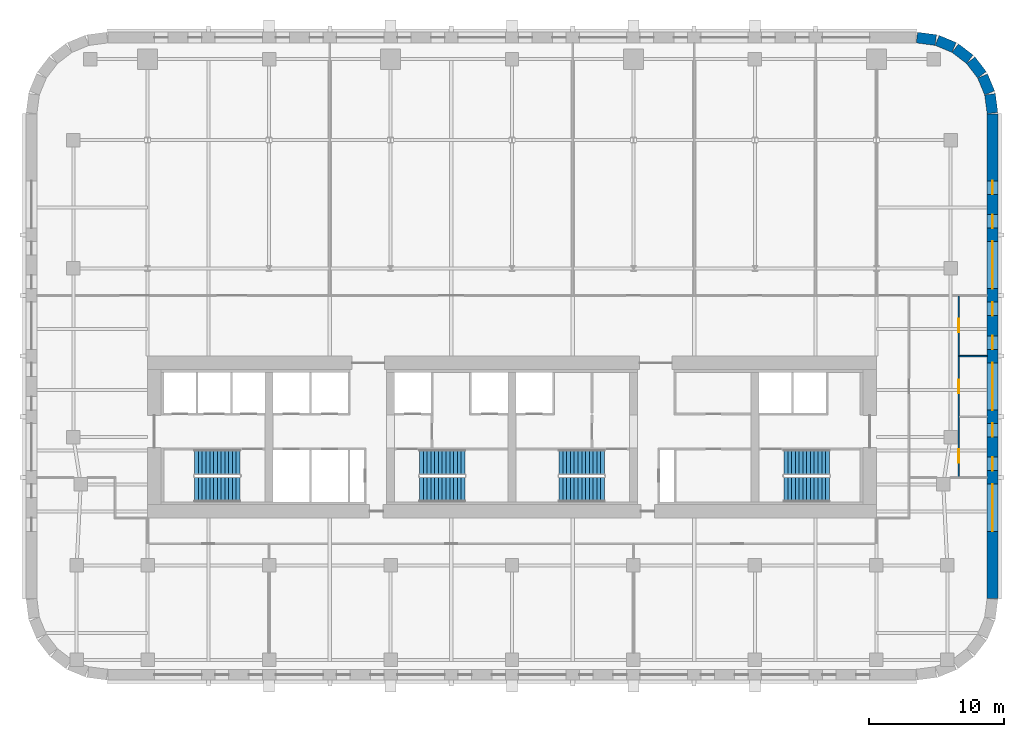
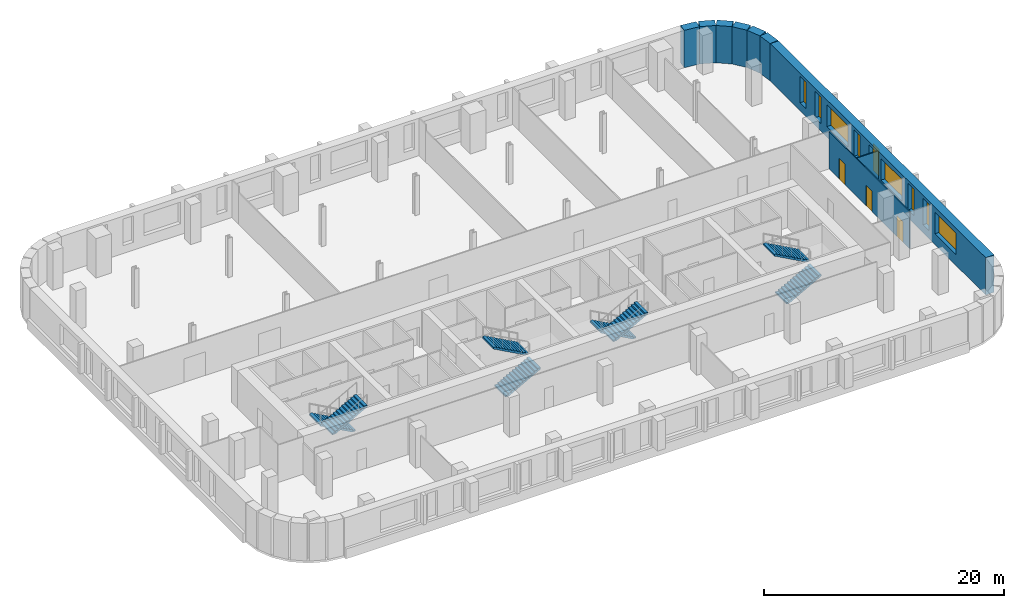
# One storey, part 7 of 9: 9 walls, 9 windows, 8 stair flights, 3 doors, 12 openings, 4 elements without a shape of their own.
"""IFC4 building model written with IfcOpenShell, lengths in metres."""

from ifc_helpers import new_model, si_unit, direction, frame, frame_2d, origin, place, context, subcontext, project, spatial, polyline, rectangle, outline, extrude, material, layer, layer_set, type_object, element, fill, aggregate, save


model = new_model("IFC4")

# Units and contexts
model_context = context("Model", 3, precision=1e-05, world=origin(), true_north=direction((0.0, 1.0)))
body_context = subcontext(model_context, "Body", "Model", "MODEL_VIEW")
ifc_project = project(units=[si_unit("LENGTHUNIT", "METRE"), si_unit("AREAUNIT", "SQUARE_METRE"), si_unit("VOLUMEUNIT", "CUBIC_METRE"), si_unit("PLANEANGLEUNIT", "RADIAN"), si_unit("MASSUNIT", "GRAM", prefix="KILO")], contexts=[model_context])

# Site, building, storey
site_placement = place(None, origin())
site = spatial("IfcSite", under=ifc_project, at=site_placement, CompositionType="ELEMENT")
building_placement = place(site_placement, origin())
building = spatial("IfcBuilding", under=site, at=building_placement, Name="Zellij Exchange Tower", CompositionType="ELEMENT")
storey_placement = place(building_placement, frame((0.0, 0.0, 148.5)))
storey = spatial("IfcBuildingStorey", under=building, at=storey_placement, Name="L33", CompositionType="ELEMENT", Elevation=148.5)

# Wall, openings, windows
ifc_material_1 = material(Name="Precast concrete C40/50", Category="concrete")
ifc_layer_1 = layer(ifc_material_1, 0.800048828125)
ifc_layer_set_1 = layer_set([ifc_layer_1], Name="Precast concrete C40/50")
wall_type_1 = type_object("IfcWallType", Name="ENV-EW1 Precast stone-piered wall 800", PredefinedType="SOLIDWALL", material=ifc_layer_set_1)
wall_1_placement = place(storey_placement, frame((35.60009765625, -19.947509765625, 0.0), z_axis=(0.0, 0.0, 1.0), x_axis=(0.0, 1.0, 0.0)))
wall_1 = element("IfcWall", 1, at=wall_1_placement, inside=storey, type_object=wall_type_1, Name="fac.L33.07", PredefinedType="SOLIDWALL", context=body_context, shape_type="SweptSolid", body=[
    extrude(rectangle(XDim=35.89501953125, YDim=0.800048828125, at=frame_2d((17.947509765625, 0.0))), origin(), (0.0, 0.0, 1.0), 3.800048828125),
])
opening_1_placement = place(wall_1_placement, frame((4.9638671875, 0.0, 1.10009765625)))
opening_1 = element("IfcOpeningElement", 2, at=opening_1_placement, cuts=wall_1, Name="Opening FZ2.19", PredefinedType="OPENING", context=body_context, shape_type="SweptSolid", body=[
    extrude(rectangle(XDim=3.5, YDim=2.199951171875, at=frame_2d((1.75, 1.10009765625))), frame((0.0, 0.412109375, 0.0), z_axis=(0.0, -1.0, 0.0), x_axis=(1.0, 0.0, 0.0)), (0.0, 0.0, 1.0), 0.823974609375),
])
opening_2_placement = place(wall_1_placement, frame((9.45751953125, 0.0, 0.800048828125)))
opening_2 = element("IfcOpeningElement", 3, at=opening_2_placement, cuts=wall_1, Name="Opening FZ2.20", PredefinedType="OPENING", context=body_context, shape_type="SweptSolid", body=[
    extrude(rectangle(XDim=1.0, YDim=2.699951171875, at=frame_2d((0.5, 1.35009765625))), frame((0.0, 0.412109375, 0.0), z_axis=(0.0, -1.0, 0.0), x_axis=(1.0, 0.0, 0.0)), (0.0, 0.0, 1.0), 0.823974609375),
])
opening_3_placement = place(wall_1_placement, frame((11.95751953125, 0.0, 0.800048828125)))
opening_3 = element("IfcOpeningElement", 4, at=opening_3_placement, cuts=wall_1, Name="Opening FZ2.21", PredefinedType="OPENING", context=body_context, shape_type="SweptSolid", body=[
    extrude(rectangle(XDim=1.0, YDim=2.699951171875, at=frame_2d((0.5, 1.35009765625))), frame((0.0, 0.412109375, 0.0), z_axis=(0.0, -1.0, 0.0), x_axis=(1.0, 0.0, 0.0)), (0.0, 0.0, 1.0), 0.823974609375),
])
opening_4_placement = place(wall_1_placement, frame((13.950927734375, 0.0, 1.10009765625)))
opening_4 = element("IfcOpeningElement", 5, at=opening_4_placement, cuts=wall_1, Name="Opening FZ2.22", PredefinedType="OPENING", context=body_context, shape_type="SweptSolid", body=[
    extrude(rectangle(XDim=3.5, YDim=2.199951171875, at=frame_2d((1.75, 1.10009765625))), frame((0.0, 0.412109375, 0.0), z_axis=(0.0, -1.0, 0.0), x_axis=(1.0, 0.0, 0.0)), (0.0, 0.0, 1.0), 0.823974609375),
])
opening_5_placement = place(wall_1_placement, frame((18.4443359375, 0.0, 0.800048828125)))
opening_5 = element("IfcOpeningElement", 6, at=opening_5_placement, cuts=wall_1, Name="Opening FZ2.23", PredefinedType="OPENING", context=body_context, shape_type="SweptSolid", body=[
    extrude(rectangle(XDim=1.0, YDim=2.699951171875, at=frame_2d((0.5, 1.35009765625))), frame((0.0, 0.412109375, 0.0), z_axis=(0.0, -1.0, 0.0), x_axis=(1.0, 0.0, 0.0)), (0.0, 0.0, 1.0), 0.823974609375),
])
opening_6_placement = place(wall_1_placement, frame((20.9443359375, 0.0, 0.800048828125)))
opening_6 = element("IfcOpeningElement", 7, at=opening_6_placement, cuts=wall_1, Name="Opening FZ2.24", PredefinedType="OPENING", context=body_context, shape_type="SweptSolid", body=[
    extrude(rectangle(XDim=1.0, YDim=2.699951171875, at=frame_2d((0.5, 1.35009765625))), frame((0.0, 0.412109375, 0.0), z_axis=(0.0, -1.0, 0.0), x_axis=(1.0, 0.0, 0.0)), (0.0, 0.0, 1.0), 0.823974609375),
])
opening_7_placement = place(wall_1_placement, frame((22.937744140625, 0.0, 1.10009765625)))
opening_7 = element("IfcOpeningElement", 8, at=opening_7_placement, cuts=wall_1, Name="Opening FZ2.25", PredefinedType="OPENING", context=body_context, shape_type="SweptSolid", body=[
    extrude(rectangle(XDim=3.5, YDim=2.199951171875, at=frame_2d((1.75, 1.10009765625))), frame((0.0, 0.412109375, 0.0), z_axis=(0.0, -1.0, 0.0), x_axis=(1.0, 0.0, 0.0)), (0.0, 0.0, 1.0), 0.823974609375),
])
opening_8_placement = place(wall_1_placement, frame((27.43115234375, 0.0, 0.800048828125)))
opening_8 = element("IfcOpeningElement", 9, at=opening_8_placement, cuts=wall_1, Name="Opening FZ2.26", PredefinedType="OPENING", context=body_context, shape_type="SweptSolid", body=[
    extrude(rectangle(XDim=1.0, YDim=2.699951171875, at=frame_2d((0.5, 1.35009765625))), frame((0.0, 0.412109375, 0.0), z_axis=(0.0, -1.0, 0.0), x_axis=(1.0, 0.0, 0.0)), (0.0, 0.0, 1.0), 0.823974609375),
])
opening_9_placement = place(wall_1_placement, frame((29.93115234375, 0.0, 0.800048828125)))
opening_9 = element("IfcOpeningElement", 10, at=opening_9_placement, cuts=wall_1, Name="Opening FZ2.27", PredefinedType="OPENING", context=body_context, shape_type="SweptSolid", body=[
    extrude(rectangle(XDim=1.0, YDim=2.699951171875, at=frame_2d((0.5, 1.35009765625))), frame((0.0, 0.412109375, 0.0), z_axis=(0.0, -1.0, 0.0), x_axis=(1.0, 0.0, 0.0)), (0.0, 0.0, 1.0), 0.823974609375),
])
ifc_material_2 = material(Name="Aluminium frame with insulating glass", Category="aluminium")
window_type_1 = type_object("IfcWindowType", Name="ENV-W7 Window 3500x2200", PartitioningType="SINGLE_PANEL", PredefinedType="WINDOW", material=ifc_material_2)
window_1_placement = place(opening_1_placement, origin())
window_1 = element("IfcWindow", 11, at=window_1_placement, inside=storey, type_object=window_type_1, Name="Window FZ2.19", OverallHeight=2.199951171875, OverallWidth=3.5, PartitioningType="SINGLE_PANEL", PredefinedType="WINDOW", context=body_context, shape_type="SweptSolid", body=[
    extrude(rectangle(XDim=3.5, YDim=2.199951171875, at=frame_2d((1.75, 1.10009765625))), frame((0.0, 0.030029296875, 0.0), z_axis=(0.0, -1.0, 0.0), x_axis=(1.0, 0.0, 0.0)), (0.0, 0.0, 1.0), 0.06005859375),
])
fill(opening_1, window_1)
window_2_placement = place(opening_4_placement, origin())
window_2 = element("IfcWindow", 12, at=window_2_placement, inside=storey, type_object=window_type_1, Name="Window FZ2.22", OverallHeight=2.199951171875, OverallWidth=3.5, PartitioningType="SINGLE_PANEL", PredefinedType="WINDOW", context=body_context, shape_type="SweptSolid", body=[
    extrude(rectangle(XDim=3.5, YDim=2.199951171875, at=frame_2d((1.75, 1.10009765625))), frame((0.0, 0.030029296875, 0.0), z_axis=(0.0, -1.0, 0.0), x_axis=(1.0, 0.0, 0.0)), (0.0, 0.0, 1.0), 0.06005859375),
])
fill(opening_4, window_2)
window_3_placement = place(opening_7_placement, origin())
window_3 = element("IfcWindow", 13, at=window_3_placement, inside=storey, type_object=window_type_1, Name="Window FZ2.25", OverallHeight=2.199951171875, OverallWidth=3.5, PartitioningType="SINGLE_PANEL", PredefinedType="WINDOW", context=body_context, shape_type="SweptSolid", body=[
    extrude(rectangle(XDim=3.5, YDim=2.199951171875, at=frame_2d((1.75, 1.10009765625))), frame((0.0, 0.030029296875, 0.0), z_axis=(0.0, -1.0, 0.0), x_axis=(1.0, 0.0, 0.0)), (0.0, 0.0, 1.0), 0.06005859375),
])
fill(opening_7, window_3)
window_type_2 = type_object("IfcWindowType", Name="ENV-W8 Window 1000x2700", PartitioningType="SINGLE_PANEL", PredefinedType="WINDOW", material=ifc_material_2)
window_4_placement = place(opening_2_placement, origin())
window_4 = element("IfcWindow", 14, at=window_4_placement, inside=storey, type_object=window_type_2, Name="Window FZ2.20", OverallHeight=2.699951171875, OverallWidth=1.0, PartitioningType="SINGLE_PANEL", PredefinedType="WINDOW", context=body_context, shape_type="SweptSolid", body=[
    extrude(rectangle(XDim=1.0, YDim=2.699951171875, at=frame_2d((0.5, 1.35009765625))), frame((0.0, 0.030029296875, 0.0), z_axis=(0.0, -1.0, 0.0), x_axis=(1.0, 0.0, 0.0)), (0.0, 0.0, 1.0), 0.06005859375),
])
fill(opening_2, window_4)
window_5_placement = place(opening_3_placement, origin())
window_5 = element("IfcWindow", 15, at=window_5_placement, inside=storey, type_object=window_type_2, Name="Window FZ2.21", OverallHeight=2.699951171875, OverallWidth=1.0, PartitioningType="SINGLE_PANEL", PredefinedType="WINDOW", context=body_context, shape_type="SweptSolid", body=[
    extrude(rectangle(XDim=1.0, YDim=2.699951171875, at=frame_2d((0.5, 1.35009765625))), frame((0.0, 0.030029296875, 0.0), z_axis=(0.0, -1.0, 0.0), x_axis=(1.0, 0.0, 0.0)), (0.0, 0.0, 1.0), 0.06005859375),
])
fill(opening_3, window_5)
window_6_placement = place(opening_5_placement, origin())
window_6 = element("IfcWindow", 16, at=window_6_placement, inside=storey, type_object=window_type_2, Name="Window FZ2.23", OverallHeight=2.699951171875, OverallWidth=1.0, PartitioningType="SINGLE_PANEL", PredefinedType="WINDOW", context=body_context, shape_type="SweptSolid", body=[
    extrude(rectangle(XDim=1.0, YDim=2.699951171875, at=frame_2d((0.5, 1.35009765625))), frame((0.0, 0.030029296875, 0.0), z_axis=(0.0, -1.0, 0.0), x_axis=(1.0, 0.0, 0.0)), (0.0, 0.0, 1.0), 0.06005859375),
])
fill(opening_5, window_6)
window_7_placement = place(opening_6_placement, origin())
window_7 = element("IfcWindow", 17, at=window_7_placement, inside=storey, type_object=window_type_2, Name="Window FZ2.24", OverallHeight=2.699951171875, OverallWidth=1.0, PartitioningType="SINGLE_PANEL", PredefinedType="WINDOW", context=body_context, shape_type="SweptSolid", body=[
    extrude(rectangle(XDim=1.0, YDim=2.699951171875, at=frame_2d((0.5, 1.35009765625))), frame((0.0, 0.030029296875, 0.0), z_axis=(0.0, -1.0, 0.0), x_axis=(1.0, 0.0, 0.0)), (0.0, 0.0, 1.0), 0.06005859375),
])
fill(opening_6, window_7)
window_8_placement = place(opening_8_placement, origin())
window_8 = element("IfcWindow", 18, at=window_8_placement, inside=storey, type_object=window_type_2, Name="Window FZ2.26", OverallHeight=2.699951171875, OverallWidth=1.0, PartitioningType="SINGLE_PANEL", PredefinedType="WINDOW", context=body_context, shape_type="SweptSolid", body=[
    extrude(rectangle(XDim=1.0, YDim=2.699951171875, at=frame_2d((0.5, 1.35009765625))), frame((0.0, 0.030029296875, 0.0), z_axis=(0.0, -1.0, 0.0), x_axis=(1.0, 0.0, 0.0)), (0.0, 0.0, 1.0), 0.06005859375),
])
fill(opening_8, window_8)
window_9_placement = place(opening_9_placement, origin())
window_9 = element("IfcWindow", 19, at=window_9_placement, inside=storey, type_object=window_type_2, Name="Window FZ2.27", OverallHeight=2.699951171875, OverallWidth=1.0, PartitioningType="SINGLE_PANEL", PredefinedType="WINDOW", context=body_context, shape_type="SweptSolid", body=[
    extrude(rectangle(XDim=1.0, YDim=2.699951171875, at=frame_2d((0.5, 1.35009765625))), frame((0.0, 0.030029296875, 0.0), z_axis=(0.0, -1.0, 0.0), x_axis=(1.0, 0.0, 0.0)), (0.0, 0.0, 1.0), 0.06005859375),
])
fill(opening_9, window_9)

# Walls
wall_2_placement = place(storey_placement, frame((35.5966796875, 15.999755859375, 0.0), z_axis=(0.0, 0.0, 1.0), x_axis=(-0.130517283865, 0.99144603414, 0.0)))
element("IfcWall", 20, at=wall_2_placement, inside=storey, type_object=wall_type_1, Name="fac.L33.08", PredefinedType="SOLIDWALL", context=body_context, shape_type="SweptSolid", body=[
    extrude(rectangle(XDim=1.408447265625, YDim=0.800048828125, at=frame_2d((0.7041015625, 0.0))), origin(), (0.0, 0.0, 1.0), 3.800048828125),
])
wall_3_placement = place(storey_placement, frame((35.3857421875, 17.497314453125, 0.0), z_axis=(0.0, 0.0, 1.0), x_axis=(-0.38276009378, 0.923847774587, 0.0)))
element("IfcWall", 21, at=wall_3_placement, inside=storey, type_object=wall_type_1, Name="fac.L33.09", PredefinedType="SOLIDWALL", context=body_context, shape_type="SweptSolid", body=[
    extrude(rectangle(XDim=1.35546875, YDim=0.800048828125, at=frame_2d((0.677734375, 0.0))), origin(), (0.0, 0.0, 1.0), 3.800048828125),
])
for number, where, z_axis, x_axis, name in (
    (22, (34.814697265625, 18.840087890625, 0.0), (0.0, 0.0, 1.0), (-0.608866226366, 0.793272915452, 0.0), "fac.L33.10"),
    (23, (33.91552734375, 19.9892578125, 0.0), (0.0, 0.0, 1.0), (-0.793272915452, 0.608866226366, 0.0), "fac.L33.11"),
):
    element("IfcWall", number, at=place(storey_placement, frame(where, z_axis=z_axis, x_axis=x_axis)), inside=storey, type_object=wall_type_1, Name=name, PredefinedType="SOLIDWALL", context=body_context, shape_type="SweptSolid", body=[
        extrude(rectangle(XDim=1.355712890625, YDim=0.800048828125, at=frame_2d((0.677734375, 0.0))), origin(), (0.0, 0.0, 1.0), 3.800048828125),
    ])
wall_4_placement = place(storey_placement, frame((32.74951171875, 20.866943359375, 0.0), z_axis=(0.0, 0.0, 1.0), x_axis=(-0.923847774587, 0.38276009378, 0.0)))
element("IfcWall", 24, at=wall_4_placement, inside=storey, type_object=wall_type_1, Name="fac.L33.12", PredefinedType="SOLIDWALL", context=body_context, shape_type="SweptSolid", body=[
    extrude(rectangle(XDim=1.35546875, YDim=0.800048828125, at=frame_2d((0.677734375, 0.0))), origin(), (0.0, 0.0, 1.0), 3.800048828125),
])
wall_5_placement = place(storey_placement, frame((31.396240234375, 21.412841796875, 0.0), z_axis=(0.0, 0.0, 1.0), x_axis=(-0.99144603414, 0.130517283865, 0.0)))
element("IfcWall", 25, at=wall_5_placement, inside=storey, type_object=wall_type_1, Name="fac.L33.13", PredefinedType="SOLIDWALL", context=body_context, shape_type="SweptSolid", body=[
    extrude(rectangle(XDim=1.408447265625, YDim=0.800048828125, at=frame_2d((0.7041015625, 0.0))), origin(), (0.0, 0.0, 1.0), 3.800048828125),
])

# Wall, openings, doors
ifc_material_3 = material(Name="Gypsum board partition on steel studs", Category="steel")
ifc_layer_2 = layer(ifc_material_3, 0.10009765625)
ifc_layer_set_2 = layer_set([ifc_layer_2], Name="Gypsum board partition on steel studs")
wall_type_2 = type_object("IfcWallType", Name="FIT-PARTITION-100", PredefinedType="PARTITIONING", material=ifc_layer_set_2)
wall_6_placement = place(storey_placement, frame((33.10009765625, -10.93994140625, 0.0), z_axis=(0.0, 0.0, 1.0), x_axis=(0.0, 1.0, 0.0)))
wall_6 = element("IfcWall", 26, at=wall_6_placement, inside=storey, type_object=wall_type_2, Name="FIT-PARTITION-100 016", PredefinedType="PARTITIONING", context=body_context, shape_type="SweptSolid", body=[
    extrude(rectangle(XDim=13.3798828125, YDim=0.10009765625, at=frame_2d((6.68994140625, 0.0))), origin(), (0.0, 0.0, 1.0), 3.800048828125),
])
opening_10_placement = place(wall_6_placement, frame((1.050048828125, 0.0, 0.0)))
opening_10 = element("IfcOpeningElement", 27, at=opening_10_placement, cuts=wall_6, Name="Opening TH.04", PredefinedType="OPENING", context=body_context, shape_type="SweptSolid", body=[
    extrude(rectangle(XDim=1.0, YDim=2.10009765625, at=frame_2d((0.5, 1.050048828125))), frame((0.0, 0.06201171875, 0.0), z_axis=(0.0, -1.0, 0.0), x_axis=(1.0, 0.0, 0.0)), (0.0, 0.0, 1.0), 0.1240234375),
])
opening_11_placement = place(wall_6_placement, frame((6.199951171875, 0.0, 0.0)))
opening_11 = element("IfcOpeningElement", 28, at=opening_11_placement, cuts=wall_6, Name="Opening TH.06", PredefinedType="OPENING", context=body_context, shape_type="SweptSolid", body=[
    extrude(rectangle(XDim=1.0, YDim=2.10009765625, at=frame_2d((0.5, 1.050048828125))), frame((0.0, 0.06201171875, 0.0), z_axis=(0.0, -1.0, 0.0), x_axis=(1.0, 0.0, 0.0)), (0.0, 0.0, 1.0), 0.1240234375),
])
opening_12_placement = place(wall_6_placement, frame((10.68994140625, 0.0, 0.0)))
opening_12 = element("IfcOpeningElement", 29, at=opening_12_placement, cuts=wall_6, Name="Opening TH.07", PredefinedType="OPENING", context=body_context, shape_type="SweptSolid", body=[
    extrude(rectangle(XDim=1.0, YDim=2.10009765625, at=frame_2d((0.5, 1.050048828125))), frame((0.0, 0.06201171875, 0.0), z_axis=(0.0, -1.0, 0.0), x_axis=(1.0, 0.0, 0.0)), (0.0, 0.0, 1.0), 0.1240234375),
])
ifc_material_4 = material(Name="Timber door set", Category="wood")
door_type = type_object("IfcDoorType", Name="FIT-D2-WIDE-1000X2100", OperationType="SINGLE_SWING_LEFT", PredefinedType="DOOR", material=ifc_material_4)
door_1_placement = place(opening_10_placement, origin())
door_1 = element("IfcDoor", 30, at=door_1_placement, inside=storey, type_object=door_type, Name="Door TH.04", OperationType="SINGLE_SWING_LEFT", OverallHeight=2.10009765625, OverallWidth=1.0, PredefinedType="DOOR", context=body_context, shape_type="SweptSolid", body=[
    extrude(rectangle(XDim=1.0, YDim=2.10009765625, at=frame_2d((0.5, 1.050048828125))), frame((0.0, 0.02490234375, 0.0), z_axis=(0.0, -1.0, 0.0), x_axis=(1.0, 0.0, 0.0)), (0.0, 0.0, 1.0), 0.050048828125),
])
fill(opening_10, door_1)
door_2_placement = place(opening_11_placement, origin())
door_2 = element("IfcDoor", 31, at=door_2_placement, inside=storey, type_object=door_type, Name="Door TH.06", OperationType="SINGLE_SWING_RIGHT", OverallHeight=2.10009765625, OverallWidth=1.0, PredefinedType="DOOR", context=body_context, shape_type="SweptSolid", body=[
    extrude(rectangle(XDim=1.0, YDim=2.10009765625, at=frame_2d((0.5, 1.050048828125))), frame((0.0, 0.02490234375, 0.0), z_axis=(0.0, -1.0, 0.0), x_axis=(1.0, 0.0, 0.0)), (0.0, 0.0, 1.0), 0.050048828125),
])
fill(opening_11, door_2)
door_3_placement = place(opening_12_placement, origin())
door_3 = element("IfcDoor", 32, at=door_3_placement, inside=storey, type_object=door_type, Name="Door TH.07", OperationType="SINGLE_SWING_RIGHT", OverallHeight=2.10009765625, OverallWidth=1.0, PredefinedType="DOOR", context=body_context, shape_type="SweptSolid", body=[
    extrude(rectangle(XDim=1.0, YDim=2.10009765625, at=frame_2d((0.5, 1.050048828125))), frame((0.0, 0.02490234375, 0.0), z_axis=(0.0, -1.0, 0.0), x_axis=(1.0, 0.0, 0.0)), (0.0, 0.0, 1.0), 0.050048828125),
])
fill(opening_12, door_3)

# Wall
wall_7_placement = place(storey_placement, frame((33.14990234375, -2.0, 0.0), z_axis=(0.0, 0.0, 1.0), x_axis=(1.0, 0.0, 0.0)))
element("IfcWall", 33, at=wall_7_placement, inside=storey, type_object=wall_type_2, Name="FIT-PARTITION-100 018", PredefinedType="PARTITIONING", context=body_context, shape_type="SweptSolid", body=[
    extrude(rectangle(XDim=2.050048828125, YDim=0.10009765625, at=frame_2d((1.02490234375, 0.0))), origin(), (0.0, 0.0, 1.0), 3.800048828125),
])

# Stair, stair flights
ifc_material_5 = material(Name="Concrete C40/50", Category="concrete")
stair_type = type_object("IfcStairType", Name="CORE-ST exit stair 1850 wide", PredefinedType="HALF_TURN_STAIR", material=ifc_material_5)
stair_1_placement = place(storey_placement, origin())
stair_1 = element("IfcStair", 34, at=stair_1_placement, inside=storey, type_object=stair_type, Name="L33 exit stair ST1", PredefinedType="HALF_TURN_STAIR")
stair_flight_type = type_object("IfcStairFlightType", Name="CORE-SF flight 1850 riser 153.8 going 280", PredefinedType="STRAIGHT", material=ifc_material_5)
stair_flight_1_placement = place(storey_placement, frame((-20.14990234375, -9.875, 0.0), z_axis=(0.0, 0.0, 1.0), x_axis=(-1.0, 0.0, 0.0)))
stair_flight_1 = element("IfcStairFlight", 35, at=stair_flight_1_placement, type_object=stair_flight_type, Name="ST1 flight 1", NumberOfRisers=13, NumberOfTreads=12, PredefinedType="STRAIGHT", RiserHeight=0.153846154, TreadLength=0.28, context=body_context, shape_type="SweptSolid", body=[
    extrude(outline(polyline([(0.0, 0.0), (0.0, 0.15380859375), (0.280029296875, 0.15380859375), (0.280029296875, 0.3076171875), (0.56005859375, 0.3076171875), (0.56005859375, 0.46142578125), (0.840087890625, 0.46142578125), (0.840087890625, 0.615478515625), (1.1201171875, 0.615478515625), (1.1201171875, 0.769287109375), (1.39990234375, 0.769287109375), (1.39990234375, 0.923095703125), (1.679931640625, 0.923095703125), (1.679931640625, 1.076904296875), (1.9599609375, 1.076904296875), (1.9599609375, 1.230712890625), (2.239990234375, 1.230712890625), (2.239990234375, 1.384521484375), (2.52001953125, 1.384521484375), (2.52001953125, 1.53857421875), (2.800048828125, 1.53857421875), (2.800048828125, 1.6923828125), (3.080078125, 1.6923828125), (3.080078125, 1.84619140625), (3.360107421875, 1.84619140625), (3.360107421875, 2.0), (3.360107421875, 1.675048828125), (0.311279296875, 0.0), (0.0, 0.0)])), frame((0.0, 0.925048828125, 0.0), z_axis=(0.0, -1.0, 0.0), x_axis=(1.0, 0.0, 0.0)), (0.0, 0.0, 1.0), 1.85009765625),
])
stair_flight_2_placement = place(storey_placement, frame((-23.510009765625, -11.875, 2.0), z_axis=(0.0, 0.0, 1.0), x_axis=(1.0, 0.0, 0.0)))
stair_flight_2 = element("IfcStairFlight", 36, at=stair_flight_2_placement, type_object=stair_flight_type, Name="ST1 flight 2", NumberOfRisers=13, NumberOfTreads=12, PredefinedType="STRAIGHT", RiserHeight=0.153846154, TreadLength=0.28, context=body_context, shape_type="SweptSolid", body=[
    extrude(outline(polyline([(0.0, 0.0), (0.0, 0.15380859375), (0.280029296875, 0.15380859375), (0.280029296875, 0.3076171875), (0.56005859375, 0.3076171875), (0.56005859375, 0.46142578125), (0.840087890625, 0.46142578125), (0.840087890625, 0.615478515625), (1.1201171875, 0.615478515625), (1.1201171875, 0.769287109375), (1.39990234375, 0.769287109375), (1.39990234375, 0.923095703125), (1.679931640625, 0.923095703125), (1.679931640625, 1.076904296875), (1.9599609375, 1.076904296875), (1.9599609375, 1.230712890625), (2.239990234375, 1.230712890625), (2.239990234375, 1.384521484375), (2.52001953125, 1.384521484375), (2.52001953125, 1.53857421875), (2.800048828125, 1.53857421875), (2.800048828125, 1.6923828125), (3.080078125, 1.6923828125), (3.080078125, 1.84619140625), (3.360107421875, 1.84619140625), (3.360107421875, 2.0), (3.360107421875, 1.675048828125), (0.311279296875, 0.0), (0.0, 0.0)])), frame((0.0, 0.925048828125, 0.0), z_axis=(0.0, -1.0, 0.0), x_axis=(1.0, 0.0, 0.0)), (0.0, 0.0, 1.0), 1.85009765625),
])
aggregate(stair_1, [stair_flight_1, stair_flight_2])

stair_2_placement = place(storey_placement, origin())
stair_2 = element("IfcStair", 37, at=stair_2_placement, inside=storey, type_object=stair_type, Name="L33 exit stair ST2", PredefinedType="HALF_TURN_STAIR")
stair_flight_3_placement = place(storey_placement, frame((-6.85009765625, -11.875, 0.0), z_axis=(0.0, 0.0, 1.0), x_axis=(1.0, 0.0, 0.0)))
stair_flight_3 = element("IfcStairFlight", 38, at=stair_flight_3_placement, type_object=stair_flight_type, Name="ST2 flight 1", NumberOfRisers=13, NumberOfTreads=12, PredefinedType="STRAIGHT", RiserHeight=0.153846154, TreadLength=0.28, context=body_context, shape_type="SweptSolid", body=[
    extrude(outline(polyline([(0.0, 0.0), (0.0, 0.15380859375), (0.280029296875, 0.15380859375), (0.280029296875, 0.3076171875), (0.56005859375, 0.3076171875), (0.56005859375, 0.46142578125), (0.840087890625, 0.46142578125), (0.840087890625, 0.615478515625), (1.1201171875, 0.615478515625), (1.1201171875, 0.769287109375), (1.39990234375, 0.769287109375), (1.39990234375, 0.923095703125), (1.679931640625, 0.923095703125), (1.679931640625, 1.076904296875), (1.9599609375, 1.076904296875), (1.9599609375, 1.230712890625), (2.239990234375, 1.230712890625), (2.239990234375, 1.384521484375), (2.52001953125, 1.384521484375), (2.52001953125, 1.53857421875), (2.800048828125, 1.53857421875), (2.800048828125, 1.6923828125), (3.080078125, 1.6923828125), (3.080078125, 1.84619140625), (3.360107421875, 1.84619140625), (3.360107421875, 2.0), (3.360107421875, 1.675048828125), (0.311279296875, 0.0), (0.0, 0.0)])), frame((0.0, 0.925048828125, 0.0), z_axis=(0.0, -1.0, 0.0), x_axis=(1.0, 0.0, 0.0)), (0.0, 0.0, 1.0), 1.85009765625),
])
stair_flight_4_placement = place(storey_placement, frame((-3.489990234375, -9.875, 2.0), z_axis=(0.0, 0.0, 1.0), x_axis=(-1.0, 0.0, 0.0)))
stair_flight_4 = element("IfcStairFlight", 39, at=stair_flight_4_placement, type_object=stair_flight_type, Name="ST2 flight 2", NumberOfRisers=13, NumberOfTreads=12, PredefinedType="STRAIGHT", RiserHeight=0.153846154, TreadLength=0.28, context=body_context, shape_type="SweptSolid", body=[
    extrude(outline(polyline([(0.0, 0.0), (0.0, 0.15380859375), (0.280029296875, 0.15380859375), (0.280029296875, 0.3076171875), (0.56005859375, 0.3076171875), (0.56005859375, 0.46142578125), (0.840087890625, 0.46142578125), (0.840087890625, 0.615478515625), (1.1201171875, 0.615478515625), (1.1201171875, 0.769287109375), (1.39990234375, 0.769287109375), (1.39990234375, 0.923095703125), (1.679931640625, 0.923095703125), (1.679931640625, 1.076904296875), (1.9599609375, 1.076904296875), (1.9599609375, 1.230712890625), (2.239990234375, 1.230712890625), (2.239990234375, 1.384521484375), (2.52001953125, 1.384521484375), (2.52001953125, 1.53857421875), (2.800048828125, 1.53857421875), (2.800048828125, 1.6923828125), (3.080078125, 1.6923828125), (3.080078125, 1.84619140625), (3.360107421875, 1.84619140625), (3.360107421875, 2.0), (3.360107421875, 1.675048828125), (0.311279296875, 0.0), (0.0, 0.0)])), frame((0.0, 0.925048828125, 0.0), z_axis=(0.0, -1.0, 0.0), x_axis=(1.0, 0.0, 0.0)), (0.0, 0.0, 1.0), 1.85009765625),
])
aggregate(stair_2, [stair_flight_3, stair_flight_4])

stair_3_placement = place(storey_placement, origin())
stair_3 = element("IfcStair", 40, at=stair_3_placement, inside=storey, type_object=stair_type, Name="L33 exit stair ST3", PredefinedType="HALF_TURN_STAIR")
stair_flight_5_placement = place(storey_placement, frame((6.85009765625, -9.875, 0.0), z_axis=(0.0, 0.0, 1.0), x_axis=(-1.0, 0.0, 0.0)))
stair_flight_5 = element("IfcStairFlight", 41, at=stair_flight_5_placement, type_object=stair_flight_type, Name="ST3 flight 1", NumberOfRisers=13, NumberOfTreads=12, PredefinedType="STRAIGHT", RiserHeight=0.153846154, TreadLength=0.28, context=body_context, shape_type="SweptSolid", body=[
    extrude(outline(polyline([(0.0, 0.0), (0.0, 0.15380859375), (0.280029296875, 0.15380859375), (0.280029296875, 0.3076171875), (0.56005859375, 0.3076171875), (0.56005859375, 0.46142578125), (0.840087890625, 0.46142578125), (0.840087890625, 0.615478515625), (1.1201171875, 0.615478515625), (1.1201171875, 0.769287109375), (1.39990234375, 0.769287109375), (1.39990234375, 0.923095703125), (1.679931640625, 0.923095703125), (1.679931640625, 1.076904296875), (1.9599609375, 1.076904296875), (1.9599609375, 1.230712890625), (2.239990234375, 1.230712890625), (2.239990234375, 1.384521484375), (2.52001953125, 1.384521484375), (2.52001953125, 1.53857421875), (2.800048828125, 1.53857421875), (2.800048828125, 1.6923828125), (3.080078125, 1.6923828125), (3.080078125, 1.84619140625), (3.360107421875, 1.84619140625), (3.360107421875, 2.0), (3.360107421875, 1.675048828125), (0.311279296875, 0.0), (0.0, 0.0)])), frame((0.0, 0.925048828125, 0.0), z_axis=(0.0, -1.0, 0.0), x_axis=(1.0, 0.0, 0.0)), (0.0, 0.0, 1.0), 1.85009765625),
])
stair_flight_6_placement = place(storey_placement, frame((3.489990234375, -11.875, 2.0), z_axis=(0.0, 0.0, 1.0), x_axis=(1.0, 0.0, 0.0)))
stair_flight_6 = element("IfcStairFlight", 42, at=stair_flight_6_placement, type_object=stair_flight_type, Name="ST3 flight 2", NumberOfRisers=13, NumberOfTreads=12, PredefinedType="STRAIGHT", RiserHeight=0.153846154, TreadLength=0.28, context=body_context, shape_type="SweptSolid", body=[
    extrude(outline(polyline([(0.0, 0.0), (0.0, 0.15380859375), (0.280029296875, 0.15380859375), (0.280029296875, 0.3076171875), (0.56005859375, 0.3076171875), (0.56005859375, 0.46142578125), (0.840087890625, 0.46142578125), (0.840087890625, 0.615478515625), (1.1201171875, 0.615478515625), (1.1201171875, 0.769287109375), (1.39990234375, 0.769287109375), (1.39990234375, 0.923095703125), (1.679931640625, 0.923095703125), (1.679931640625, 1.076904296875), (1.9599609375, 1.076904296875), (1.9599609375, 1.230712890625), (2.239990234375, 1.230712890625), (2.239990234375, 1.384521484375), (2.52001953125, 1.384521484375), (2.52001953125, 1.53857421875), (2.800048828125, 1.53857421875), (2.800048828125, 1.6923828125), (3.080078125, 1.6923828125), (3.080078125, 1.84619140625), (3.360107421875, 1.84619140625), (3.360107421875, 2.0), (3.360107421875, 1.675048828125), (0.311279296875, 0.0), (0.0, 0.0)])), frame((0.0, 0.925048828125, 0.0), z_axis=(0.0, -1.0, 0.0), x_axis=(1.0, 0.0, 0.0)), (0.0, 0.0, 1.0), 1.85009765625),
])
aggregate(stair_3, [stair_flight_5, stair_flight_6])

stair_4_placement = place(storey_placement, origin())
stair_4 = element("IfcStair", 43, at=stair_4_placement, inside=storey, type_object=stair_type, Name="L33 exit stair ST4", PredefinedType="HALF_TURN_STAIR")
stair_flight_7_placement = place(storey_placement, frame((20.14990234375, -11.875, 0.0), z_axis=(0.0, 0.0, 1.0), x_axis=(1.0, 0.0, 0.0)))
stair_flight_7 = element("IfcStairFlight", 44, at=stair_flight_7_placement, type_object=stair_flight_type, Name="ST4 flight 1", NumberOfRisers=13, NumberOfTreads=12, PredefinedType="STRAIGHT", RiserHeight=0.153846154, TreadLength=0.28, context=body_context, shape_type="SweptSolid", body=[
    extrude(outline(polyline([(0.0, 0.0), (0.0, 0.15380859375), (0.280029296875, 0.15380859375), (0.280029296875, 0.3076171875), (0.56005859375, 0.3076171875), (0.56005859375, 0.46142578125), (0.840087890625, 0.46142578125), (0.840087890625, 0.615478515625), (1.1201171875, 0.615478515625), (1.1201171875, 0.769287109375), (1.39990234375, 0.769287109375), (1.39990234375, 0.923095703125), (1.679931640625, 0.923095703125), (1.679931640625, 1.076904296875), (1.9599609375, 1.076904296875), (1.9599609375, 1.230712890625), (2.239990234375, 1.230712890625), (2.239990234375, 1.384521484375), (2.52001953125, 1.384521484375), (2.52001953125, 1.53857421875), (2.800048828125, 1.53857421875), (2.800048828125, 1.6923828125), (3.080078125, 1.6923828125), (3.080078125, 1.84619140625), (3.360107421875, 1.84619140625), (3.360107421875, 2.0), (3.360107421875, 1.675048828125), (0.311279296875, 0.0), (0.0, 0.0)])), frame((0.0, 0.925048828125, 0.0), z_axis=(0.0, -1.0, 0.0), x_axis=(1.0, 0.0, 0.0)), (0.0, 0.0, 1.0), 1.85009765625),
])
stair_flight_8_placement = place(storey_placement, frame((23.510009765625, -9.875, 2.0), z_axis=(0.0, 0.0, 1.0), x_axis=(-1.0, 0.0, 0.0)))
stair_flight_8 = element("IfcStairFlight", 45, at=stair_flight_8_placement, type_object=stair_flight_type, Name="ST4 flight 2", NumberOfRisers=13, NumberOfTreads=12, PredefinedType="STRAIGHT", RiserHeight=0.153846154, TreadLength=0.28, context=body_context, shape_type="SweptSolid", body=[
    extrude(outline(polyline([(0.0, 0.0), (0.0, 0.15380859375), (0.280029296875, 0.15380859375), (0.280029296875, 0.3076171875), (0.56005859375, 0.3076171875), (0.56005859375, 0.46142578125), (0.840087890625, 0.46142578125), (0.840087890625, 0.615478515625), (1.1201171875, 0.615478515625), (1.1201171875, 0.769287109375), (1.39990234375, 0.769287109375), (1.39990234375, 0.923095703125), (1.679931640625, 0.923095703125), (1.679931640625, 1.076904296875), (1.9599609375, 1.076904296875), (1.9599609375, 1.230712890625), (2.239990234375, 1.230712890625), (2.239990234375, 1.384521484375), (2.52001953125, 1.384521484375), (2.52001953125, 1.53857421875), (2.800048828125, 1.53857421875), (2.800048828125, 1.6923828125), (3.080078125, 1.6923828125), (3.080078125, 1.84619140625), (3.360107421875, 1.84619140625), (3.360107421875, 2.0), (3.360107421875, 1.675048828125), (0.311279296875, 0.0), (0.0, 0.0)])), frame((0.0, 0.925048828125, 0.0), z_axis=(0.0, -1.0, 0.0), x_axis=(1.0, 0.0, 0.0)), (0.0, 0.0, 1.0), 1.85009765625),
])
aggregate(stair_4, [stair_flight_7, stair_flight_8])

save(model, "model.ifc")
